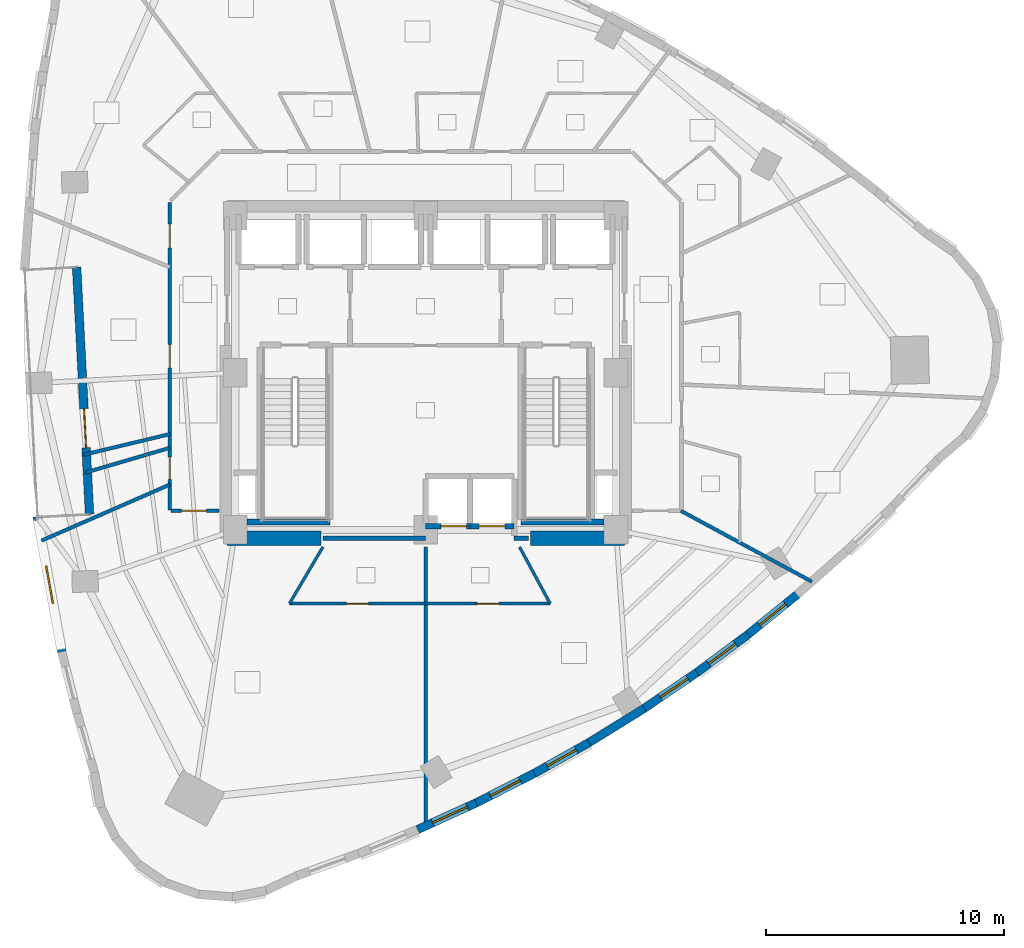
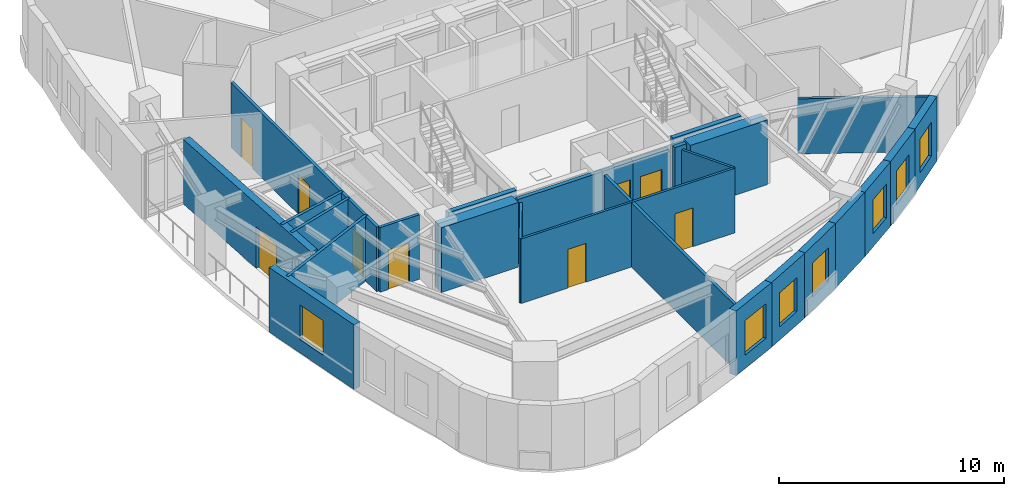
# One storey, part 5 of 12: 28 walls, 9 doors, 7 windows, 16 openings.
"""IFC4 building model written with IfcOpenShell, lengths in metres."""

from ifc_helpers import new_model, si_unit, direction, frame, frame_2d, origin, place, context, subcontext, project, spatial, rectangle, extrude, material, layer, layer_set, type_object, element, fill, save


model = new_model("IFC4")

# Units and contexts
model_context = context("Model", 3, precision=1e-05, world=origin(), true_north=direction((0.0, 1.0)))
body_context = subcontext(model_context, "Body", "Model", "MODEL_VIEW")
ifc_project = project(units=[si_unit("LENGTHUNIT", "METRE"), si_unit("AREAUNIT", "SQUARE_METRE"), si_unit("VOLUMEUNIT", "CUBIC_METRE"), si_unit("PLANEANGLEUNIT", "RADIAN"), si_unit("MASSUNIT", "GRAM", prefix="KILO")], contexts=[model_context])

# Site, building, storey
site_placement = place(None, origin())
site = spatial("IfcSite", under=ifc_project, at=site_placement, CompositionType="ELEMENT")
building_placement = place(site_placement, origin())
building = spatial("IfcBuilding", under=site, at=building_placement, Name="Ndelora Gate Hotel", CompositionType="ELEMENT")
storey_placement = place(building_placement, frame((0.0, 0.0, 138.5)))
storey = spatial("IfcBuildingStorey", under=building, at=storey_placement, Name="L34", CompositionType="ELEMENT", Elevation=138.5)

# Wall, opening, door
ifc_material_1 = material(Name="Clay Brick Masonry", Category="masonry")
ifc_layer_1 = layer(ifc_material_1, 0.360107421875)
ifc_layer_set_1 = layer_set([ifc_layer_1], Name="Clay Brick Masonry")
wall_type_1 = type_object("IfcWallType", Name="WL-BRICK-360", PredefinedType="SOLIDWALL", material=ifc_layer_set_1)
wall_1_placement = place(storey_placement, frame((-14.123779296875, -5.947265625, 0.0), z_axis=(0.0, 0.0, 1.0), x_axis=(-0.052325961458, 0.998630058509, 0.0)))
wall_1 = element("IfcWall", 1, at=wall_1_placement, inside=storey, type_object=wall_type_1, Name="L34 Sky-Garden Loggia Rear Brick Wall", PredefinedType="SOLIDWALL", context=body_context, shape_type="SweptSolid", body=[
    extrude(rectangle(XDim=10.39990234375, YDim=0.360107421875, at=frame_2d((5.199951171875, 0.0))), origin(), (0.0, 0.0, 1.0), 3.5),
])
opening_1_placement = place(wall_1_placement, frame((2.800048828125, 0.0, 0.0)))
opening_1 = element("IfcOpeningElement", 2, at=opening_1_placement, cuts=wall_1, Name="Opening TD1", PredefinedType="OPENING", context=body_context, shape_type="SweptSolid", body=[
    extrude(rectangle(XDim=1.64990234375, YDim=2.25, at=frame_2d((0.824951171875, 1.125))), frame((0.0, 0.18994140625, 0.0), z_axis=(0.0, -1.0, 0.0), x_axis=(1.0, 0.0, 0.0)), (0.0, 0.0, 1.0), 0.380126953125),
])
ifc_material_2 = material(Name="Architectural Bronze Glazed Door", Category="metal")
door_type_1 = type_object("IfcDoorType", Name="DR-TER-1650", OperationType="DOUBLE_DOOR_SINGLE_SWING", PredefinedType="DOOR", material=ifc_material_2)
door_1_placement = place(opening_1_placement, origin())
door_1 = element("IfcDoor", 3, at=door_1_placement, inside=storey, type_object=door_type_1, Name="L34 Sky-Garden Terrace Double Door TD1", OperationType="DOUBLE_DOOR_SINGLE_SWING", OverallHeight=2.25, OverallWidth=1.64990234375, PredefinedType="DOOR", context=body_context, shape_type="SweptSolid", body=[
    extrude(rectangle(XDim=1.64990234375, YDim=2.25, at=frame_2d((0.824951171875, 1.125))), frame((0.0, 0.02490234375, 0.0), z_axis=(0.0, -1.0, 0.0), x_axis=(1.0, 0.0, 0.0)), (0.0, 0.0, 1.0), 0.050048828125),
])
fill(opening_1, door_1)

# Wall, opening, window
wall_2_placement = place(storey_placement, frame((-15.283935546875, -11.77099609375, 0.0), z_axis=(0.0, 0.0, 1.0), x_axis=(-0.178697394158, 0.983904081362, 0.0)))
wall_2 = element("IfcWall", 4, at=wall_2_placement, inside=storey, type_object=wall_type_1, Name="L34 Tower Brick Pier-and-Spandrel Wall TWR-16", PredefinedType="SOLIDWALL", context=body_context, shape_type="SweptSolid", body=[
    extrude(rectangle(XDim=5.826904296875, YDim=0.360107421875, at=frame_2d((2.91357421875, 0.0))), origin(), (0.0, 0.0, 1.0), 3.5),
])
opening_2_placement = place(wall_2_placement, frame((2.11328125, 0.0, 0.719970703125)))
opening_2 = element("IfcOpeningElement", 5, at=opening_2_placement, cuts=wall_2, Name="Opening W01", PredefinedType="OPENING", context=body_context, shape_type="SweptSolid", body=[
    extrude(rectangle(XDim=1.60009765625, YDim=1.8798828125, at=frame_2d((0.800048828125, 0.93994140625))), frame((0.0, 0.18994140625, 0.0), z_axis=(0.0, -1.0, 0.0), x_axis=(1.0, 0.0, 0.0)), (0.0, 0.0, 1.0), 0.380126953125),
])
ifc_material_3 = material(Name="Insulated Low-E Double Glazing in Bronze Aluminium Frame", Category="aluminium")
window_type_1 = type_object("IfcWindowType", Name="WN-DEEP-1600", PartitioningType="SINGLE_PANEL", PredefinedType="WINDOW", material=ifc_material_3)
window_1_placement = place(opening_2_placement, origin())
window_1 = element("IfcWindow", 6, at=window_1_placement, inside=storey, type_object=window_type_1, Name="L34 Deep-Set Brick-Pier Window W01", OverallHeight=1.8798828125, OverallWidth=1.60009765625, PartitioningType="SINGLE_PANEL", PredefinedType="WINDOW", context=body_context, shape_type="SweptSolid", body=[
    extrude(rectangle(XDim=1.60009765625, YDim=1.8798828125, at=frame_2d((0.800048828125, 0.93994140625))), frame((0.0, 0.030029296875, 0.0), z_axis=(0.0, -1.0, 0.0), x_axis=(1.0, 0.0, 0.0)), (0.0, 0.0, 1.0), 0.06005859375),
])
fill(opening_2, window_1)

wall_3_placement = place(storey_placement, frame((2.169677734375, -18.052001953125, 0.0), z_axis=(0.0, 0.0, 1.0), x_axis=(-0.909692365211, -0.415282796028, 0.0)))
wall_3 = element("IfcWall", 7, at=wall_3_placement, inside=storey, type_object=wall_type_1, Name="L34 Tower Brick Pier-and-Spandrel Wall TWR-29", PredefinedType="SOLIDWALL", context=body_context, shape_type="SweptSolid", body=[
    extrude(rectangle(XDim=2.75830078125, YDim=0.360107421875, at=frame_2d((1.379150390625, 0.0))), origin(), (0.0, 0.0, 1.0), 3.5),
])
opening_3_placement = place(wall_3_placement, frame((0.4599609375, 0.0, 0.719970703125)))
opening_3 = element("IfcOpeningElement", 8, at=opening_3_placement, cuts=wall_3, Name="Opening W03", PredefinedType="OPENING", context=body_context, shape_type="SweptSolid", body=[
    extrude(rectangle(XDim=1.60009765625, YDim=1.8798828125, at=frame_2d((0.800048828125, 0.93994140625))), frame((0.0, 0.18994140625, 0.0), z_axis=(0.0, -1.0, 0.0), x_axis=(1.0, 0.0, 0.0)), (0.0, 0.0, 1.0), 0.380126953125),
])
window_type_2 = type_object("IfcWindowType", Name="WN-CORN-2100", PartitioningType="SINGLE_PANEL", PredefinedType="WINDOW", material=ifc_material_3)
window_2_placement = place(opening_3_placement, origin())
window_2 = element("IfcWindow", 9, at=window_2_placement, inside=storey, type_object=window_type_2, Name="L34 Deep-Set Brick-Pier Window W03", OverallHeight=1.8798828125, OverallWidth=1.60009765625, PartitioningType="SINGLE_PANEL", PredefinedType="WINDOW", context=body_context, shape_type="SweptSolid", body=[
    extrude(rectangle(XDim=1.60009765625, YDim=1.8798828125, at=frame_2d((0.800048828125, 0.93994140625))), frame((0.0, 0.030029296875, 0.0), z_axis=(0.0, -1.0, 0.0), x_axis=(1.0, 0.0, 0.0)), (0.0, 0.0, 1.0), 0.06005859375),
])
fill(opening_3, window_2)

wall_4_placement = place(storey_placement, frame((4.571044921875, -16.830810546875, 0.0), z_axis=(0.0, 0.0, 1.0), x_axis=(-0.891561759687, -0.452899137406, 0.0)))
wall_4 = element("IfcWall", 10, at=wall_4_placement, inside=storey, type_object=wall_type_1, Name="L34 Tower Brick Pier-and-Spandrel Wall TWR-30", PredefinedType="SOLIDWALL", context=body_context, shape_type="SweptSolid", body=[
    extrude(rectangle(XDim=2.743896484375, YDim=0.360107421875, at=frame_2d((1.3720703125, 0.0))), origin(), (0.0, 0.0, 1.0), 3.5),
])
opening_4_placement = place(wall_4_placement, frame((0.672119140625, 0.0, 0.719970703125)))
opening_4 = element("IfcOpeningElement", 11, at=opening_4_placement, cuts=wall_4, Name="Opening W02", PredefinedType="OPENING", context=body_context, shape_type="SweptSolid", body=[
    extrude(rectangle(XDim=1.39990234375, YDim=1.840087890625, at=frame_2d((0.699951171875, 0.919921875))), frame((0.0, 0.18994140625, 0.0), z_axis=(0.0, -1.0, 0.0), x_axis=(1.0, 0.0, 0.0)), (0.0, 0.0, 1.0), 0.380126953125),
])
window_type_3 = type_object("IfcWindowType", Name="WN-DEEP-1400", PartitioningType="SINGLE_PANEL", PredefinedType="WINDOW", material=ifc_material_3)
window_3_placement = place(opening_4_placement, origin())
window_3 = element("IfcWindow", 12, at=window_3_placement, inside=storey, type_object=window_type_3, Name="L34 Deep-Set Brick-Pier Window W02", OverallHeight=1.840087890625, OverallWidth=1.39990234375, PartitioningType="SINGLE_PANEL", PredefinedType="WINDOW", context=body_context, shape_type="SweptSolid", body=[
    extrude(rectangle(XDim=1.39990234375, YDim=1.840087890625, at=frame_2d((0.699951171875, 0.919921875))), frame((0.0, 0.030029296875, 0.0), z_axis=(0.0, -1.0, 0.0), x_axis=(1.0, 0.0, 0.0)), (0.0, 0.0, 1.0), 0.06005859375),
])
fill(opening_4, window_3)

wall_5_placement = place(storey_placement, frame((6.910400390625, -15.513916015625, 0.0), z_axis=(0.0, 0.0, 1.0), x_axis=(-0.871580305906, -0.490252761702, 0.0)))
wall_5 = element("IfcWall", 13, at=wall_5_placement, inside=storey, type_object=wall_type_1, Name="L34 Tower Brick Pier-and-Spandrel Wall TWR-31", PredefinedType="SOLIDWALL", context=body_context, shape_type="SweptSolid", body=[
    extrude(rectangle(XDim=2.734375, YDim=0.360107421875, at=frame_2d((1.3671875, 0.0))), origin(), (0.0, 0.0, 1.0), 3.5),
])
opening_5_placement = place(wall_5_placement, frame((0.667236328125, 0.0, 0.719970703125)))
opening_5 = element("IfcOpeningElement", 14, at=opening_5_placement, cuts=wall_5, Name="Opening W02", PredefinedType="OPENING", context=body_context, shape_type="SweptSolid", body=[
    extrude(rectangle(XDim=1.39990234375, YDim=1.840087890625, at=frame_2d((0.699951171875, 0.919921875))), frame((0.0, 0.18994140625, 0.0), z_axis=(0.0, -1.0, 0.0), x_axis=(1.0, 0.0, 0.0)), (0.0, 0.0, 1.0), 0.380126953125),
])
window_4_placement = place(opening_5_placement, origin())
window_4 = element("IfcWindow", 15, at=window_4_placement, inside=storey, type_object=window_type_3, Name="L34 Deep-Set Brick-Pier Window W02", OverallHeight=1.840087890625, OverallWidth=1.39990234375, PartitioningType="SINGLE_PANEL", PredefinedType="WINDOW", context=body_context, shape_type="SweptSolid", body=[
    extrude(rectangle(XDim=1.39990234375, YDim=1.840087890625, at=frame_2d((0.699951171875, 0.919921875))), frame((0.0, 0.030029296875, 0.0), z_axis=(0.0, -1.0, 0.0), x_axis=(1.0, 0.0, 0.0)), (0.0, 0.0, 1.0), 0.06005859375),
])
fill(opening_5, window_4)

# Wall
wall_6_placement = place(storey_placement, frame((9.187744140625, -14.101806640625, 0.0), z_axis=(0.0, 0.0, 1.0), x_axis=(-0.850066866235, -0.526674779091, 0.0)))
element("IfcWall", 16, at=wall_6_placement, inside=storey, type_object=wall_type_1, Name="L34 Tower Brick Pier-and-Spandrel Wall TWR-32", PredefinedType="SOLIDWALL", context=body_context, shape_type="SweptSolid", body=[
    extrude(rectangle(XDim=2.729736328125, YDim=0.360107421875, at=frame_2d((1.36474609375, 0.0))), origin(), (0.0, 0.0, 1.0), 3.5),
])

# Wall, opening, window
wall_7_placement = place(storey_placement, frame((11.40283203125, -12.593994140625, 0.0), z_axis=(0.0, 0.0, 1.0), x_axis=(-0.826868273885, -0.562395641557, 0.0)))
wall_7 = element("IfcWall", 17, at=wall_7_placement, inside=storey, type_object=wall_type_1, Name="L34 Tower Brick Pier-and-Spandrel Wall TWR-33", PredefinedType="SOLIDWALL", context=body_context, shape_type="SweptSolid", body=[
    extrude(rectangle(XDim=2.729736328125, YDim=0.360107421875, at=frame_2d((1.36474609375, 0.0))), origin(), (0.0, 0.0, 1.0), 3.5),
])
opening_6_placement = place(wall_7_placement, frame((0.4599609375, 0.0, 0.719970703125)))
opening_6 = element("IfcOpeningElement", 18, at=opening_6_placement, cuts=wall_7, Name="Opening W02", PredefinedType="OPENING", context=body_context, shape_type="SweptSolid", body=[
    extrude(rectangle(XDim=1.39990234375, YDim=1.840087890625, at=frame_2d((0.699951171875, 0.919921875))), frame((0.0, 0.18994140625, 0.0), z_axis=(0.0, -1.0, 0.0), x_axis=(1.0, 0.0, 0.0)), (0.0, 0.0, 1.0), 0.380126953125),
])
window_5_placement = place(opening_6_placement, origin())
window_5 = element("IfcWindow", 19, at=window_5_placement, inside=storey, type_object=window_type_3, Name="L34 Deep-Set Brick-Pier Window W02", OverallHeight=1.840087890625, OverallWidth=1.39990234375, PartitioningType="SINGLE_PANEL", PredefinedType="WINDOW", context=body_context, shape_type="SweptSolid", body=[
    extrude(rectangle(XDim=1.39990234375, YDim=1.840087890625, at=frame_2d((0.699951171875, 0.919921875))), frame((0.0, 0.030029296875, 0.0), z_axis=(0.0, -1.0, 0.0), x_axis=(1.0, 0.0, 0.0)), (0.0, 0.0, 1.0), 0.06005859375),
])
fill(opening_6, window_5)

wall_8_placement = place(storey_placement, frame((13.555908203125, -10.990966796875, 0.0), z_axis=(0.0, 0.0, 1.0), x_axis=(-0.802329676415, -0.596881135859, 0.0)))
wall_8 = element("IfcWall", 20, at=wall_8_placement, inside=storey, type_object=wall_type_1, Name="L34 Tower Brick Pier-and-Spandrel Wall TWR-34", PredefinedType="SOLIDWALL", context=body_context, shape_type="SweptSolid", body=[
    extrude(rectangle(XDim=2.734375, YDim=0.360107421875, at=frame_2d((1.3671875, 0.0))), origin(), (0.0, 0.0, 1.0), 3.5),
])
opening_7_placement = place(wall_8_placement, frame((0.667236328125, 0.0, 0.719970703125)))
opening_7 = element("IfcOpeningElement", 21, at=opening_7_placement, cuts=wall_8, Name="Opening W02", PredefinedType="OPENING", context=body_context, shape_type="SweptSolid", body=[
    extrude(rectangle(XDim=1.39990234375, YDim=1.840087890625, at=frame_2d((0.699951171875, 0.919921875))), frame((0.0, 0.18994140625, 0.0), z_axis=(0.0, -1.0, 0.0), x_axis=(1.0, 0.0, 0.0)), (0.0, 0.0, 1.0), 0.380126953125),
])
window_6_placement = place(opening_7_placement, origin())
window_6 = element("IfcWindow", 22, at=window_6_placement, inside=storey, type_object=window_type_3, Name="L34 Deep-Set Brick-Pier Window W02", OverallHeight=1.840087890625, OverallWidth=1.39990234375, PartitioningType="SINGLE_PANEL", PredefinedType="WINDOW", context=body_context, shape_type="SweptSolid", body=[
    extrude(rectangle(XDim=1.39990234375, YDim=1.840087890625, at=frame_2d((0.699951171875, 0.919921875))), frame((0.0, 0.030029296875, 0.0), z_axis=(0.0, -1.0, 0.0), x_axis=(1.0, 0.0, 0.0)), (0.0, 0.0, 1.0), 0.06005859375),
])
fill(opening_7, window_6)

wall_9_placement = place(storey_placement, frame((15.64697265625, -9.292236328125, 0.0), z_axis=(0.0, 0.0, 1.0), x_axis=(-0.776448630517, -0.630180548866, 0.0)))
wall_9 = element("IfcWall", 23, at=wall_9_placement, inside=storey, type_object=wall_type_1, Name="L34 Tower Brick Pier-and-Spandrel Wall TWR-35", PredefinedType="SOLIDWALL", context=body_context, shape_type="SweptSolid", body=[
    extrude(rectangle(XDim=2.744140625, YDim=0.360107421875, at=frame_2d((1.3720703125, 0.0))), origin(), (0.0, 0.0, 1.0), 3.5),
])
opening_8_placement = place(wall_9_placement, frame((0.672119140625, 0.0, 0.719970703125)))
opening_8 = element("IfcOpeningElement", 24, at=opening_8_placement, cuts=wall_9, Name="Opening W02", PredefinedType="OPENING", context=body_context, shape_type="SweptSolid", body=[
    extrude(rectangle(XDim=1.39990234375, YDim=1.840087890625, at=frame_2d((0.699951171875, 0.919921875))), frame((0.0, 0.18994140625, 0.0), z_axis=(0.0, -1.0, 0.0), x_axis=(1.0, 0.0, 0.0)), (0.0, 0.0, 1.0), 0.380126953125),
])
window_7_placement = place(opening_8_placement, origin())
window_7 = element("IfcWindow", 25, at=window_7_placement, inside=storey, type_object=window_type_3, Name="L34 Deep-Set Brick-Pier Window W02", OverallHeight=1.840087890625, OverallWidth=1.39990234375, PartitioningType="SINGLE_PANEL", PredefinedType="WINDOW", context=body_context, shape_type="SweptSolid", body=[
    extrude(rectangle(XDim=1.39990234375, YDim=1.840087890625, at=frame_2d((0.699951171875, 0.919921875))), frame((0.0, 0.030029296875, 0.0), z_axis=(0.0, -1.0, 0.0), x_axis=(1.0, 0.0, 0.0)), (0.0, 0.0, 1.0), 0.06005859375),
])
fill(opening_8, window_7)

# Walls
ifc_material_4 = material(Name="Concrete C60/75", Category="concrete")
ifc_layer_2 = layer(ifc_material_4, 0.60009765625)
ifc_layer_set_2 = layer_set([ifc_layer_2], Name="Concrete C60/75")
wall_type_2 = type_object("IfcWallType", Name="WL-CORE-600", PredefinedType="SHEAR", material=ifc_layer_set_2)
for number, where, z_axis, x_axis, name in (
    (26, (-8.35009765625, -6.949951171875, 0.0), (0.0, 0.0, 1.0), (1.0, 0.0, 0.0), "L34 Core Shear Wall S-W"),
    (27, (4.39990234375, -6.949951171875, 0.0), (0.0, 0.0, 1.0), (1.0, 0.0, 0.0), "L34 Core Shear Wall S-E"),
):
    element("IfcWall", number, at=place(storey_placement, frame(where, z_axis=z_axis, x_axis=x_axis)), inside=storey, type_object=wall_type_2, Name=name, PredefinedType="SHEAR", context=body_context, shape_type="SweptSolid", body=[
        extrude(rectangle(XDim=3.9501953125, YDim=0.60009765625, at=frame_2d((1.97509765625, 0.0))), origin(), (0.0, 0.0, 1.0), 3.5),
    ])
ifc_material_5 = material(Name="Concrete C40/50", Category="concrete")
ifc_layer_3 = layer(ifc_material_5, 0.199951171875)
ifc_layer_set_3 = layer_set([ifc_layer_3], Name="Concrete C40/50")
wall_type_3 = type_object("IfcWallType", Name="WL-FIRE-200", PredefinedType="PARTITIONING", material=ifc_layer_set_3)
wall_10_placement = place(storey_placement, frame((-4.320068359375, -6.949951171875, 0.0), z_axis=(0.0, 0.0, 1.0), x_axis=(1.0, 0.0, 0.0)))
element("IfcWall", 28, at=wall_10_placement, inside=storey, type_object=wall_type_3, Name="L34 Interior Wall IW-2", PredefinedType="PARTITIONING", context=body_context, shape_type="SweptSolid", body=[
    extrude(rectangle(XDim=4.320068359375, YDim=0.199951171875, at=frame_2d((2.16015625, 0.0))), origin(), (0.0, 0.0, 1.0), 3.5),
])
wall_11_placement = place(storey_placement, frame((3.719970703125, -6.949951171875, 0.0), z_axis=(0.0, 0.0, 1.0), x_axis=(1.0, 0.0, 0.0)))
element("IfcWall", 29, at=wall_11_placement, inside=storey, type_object=wall_type_3, Name="L34 Interior Wall IW-2", PredefinedType="PARTITIONING", context=body_context, shape_type="SweptSolid", body=[
    extrude(rectangle(XDim=0.60009765625, YDim=0.199951171875, at=frame_2d((0.300048828125, 0.0))), origin(), (0.0, 0.0, 1.0), 3.5),
])

# Wall, opening, door
ifc_material_6 = material(Name="Fire-Rated Gypsum Stud Partition", Category="gypsum")
ifc_layer_4 = layer(ifc_material_6, 0.14990234375)
ifc_layer_set_4 = layer_set([ifc_layer_4], Name="Fire-Rated Gypsum Stud Partition")
wall_type_4 = type_object("IfcWallType", Name="WL-PART-150", PredefinedType="PARTITIONING", material=ifc_layer_set_4)
wall_12_placement = place(storey_placement, frame((-8.68994140625, -5.800048828125, 0.0), z_axis=(0.0, 0.0, 1.0), x_axis=(-1.0, 0.0, 0.0)))
wall_12 = element("IfcWall", 30, at=wall_12_placement, inside=storey, type_object=wall_type_4, Name="L34 Interior Wall IW-5", PredefinedType="PARTITIONING", context=body_context, shape_type="SweptSolid", body=[
    extrude(rectangle(XDim=2.02001953125, YDim=0.14990234375, at=frame_2d((1.010009765625, 0.0))), origin(), (0.0, 0.0, 1.0), 3.5),
])
opening_9_placement = place(wall_12_placement, frame((0.52001953125, 0.0, 0.0)))
opening_9 = element("IfcOpeningElement", 31, at=opening_9_placement, cuts=wall_12, Name="Opening D07", PredefinedType="OPENING", context=body_context, shape_type="SweptSolid", body=[
    extrude(rectangle(XDim=1.06005859375, YDim=2.14990234375, at=frame_2d((0.530029296875, 1.074951171875))), frame((0.0, 0.0849609375, 0.0), z_axis=(0.0, -1.0, 0.0), x_axis=(1.0, 0.0, 0.0)), (0.0, 0.0, 1.0), 0.169921875),
])
ifc_material_7 = material(Name="Diplomatic Suite Acoustic Entrance Door", Category="wood")
door_type_2 = type_object("IfcDoorType", Name="DR-SUITE-1060", OperationType="SINGLE_SWING_LEFT", PredefinedType="DOOR", material=ifc_material_7)
door_2_placement = place(opening_9_placement, origin())
door_2 = element("IfcDoor", 32, at=door_2_placement, inside=storey, type_object=door_type_2, Name="L34 Club Twin Corner Suite 3701 Entrance Door", OperationType="SINGLE_SWING_RIGHT", OverallHeight=2.14990234375, OverallWidth=1.06005859375, PredefinedType="DOOR", context=body_context, shape_type="SweptSolid", body=[
    extrude(rectangle(XDim=1.06005859375, YDim=2.14990234375, at=frame_2d((0.530029296875, 1.074951171875))), frame((0.0, 0.02490234375, 0.0), z_axis=(0.0, -1.0, 0.0), x_axis=(1.0, 0.0, 0.0)), (0.0, 0.0, 1.0), 0.050048828125),
])
fill(opening_9, door_2)

# Wall, openings, doors
wall_13_placement = place(storey_placement, frame((-10.75, -5.760009765625, 0.0), z_axis=(0.0, 0.0, 1.0), x_axis=(0.0, 1.0, 0.0)))
wall_13 = element("IfcWall", 33, at=wall_13_placement, inside=storey, type_object=wall_type_4, Name="L34 Interior Wall IW-5", PredefinedType="PARTITIONING", context=body_context, shape_type="SweptSolid", body=[
    extrude(rectangle(XDim=12.919921875, YDim=0.14990234375, at=frame_2d((6.4599609375, 0.0))), origin(), (0.0, 0.0, 1.0), 3.5),
])
opening_10_placement = place(wall_13_placement, frame((1.280029296875, 0.0, 0.0)))
opening_10 = element("IfcOpeningElement", 34, at=opening_10_placement, cuts=wall_13, Name="Opening D05", PredefinedType="OPENING", context=body_context, shape_type="SweptSolid", body=[
    extrude(rectangle(XDim=0.949951171875, YDim=2.10009765625, at=frame_2d((0.47509765625, 1.050048828125))), frame((0.0, 0.0849609375, 0.0), z_axis=(0.0, -1.0, 0.0), x_axis=(1.0, 0.0, 0.0)), (0.0, 0.0, 1.0), 0.169921875),
])
opening_11_placement = place(wall_13_placement, frame((5.95556640625, 0.0, 0.0)))
opening_11 = element("IfcOpeningElement", 35, at=opening_11_placement, cuts=wall_13, Name="Opening D01", PredefinedType="OPENING", context=body_context, shape_type="SweptSolid", body=[
    extrude(rectangle(XDim=1.0, YDim=2.14990234375, at=frame_2d((0.5, 1.074951171875))), frame((0.0, 0.0849609375, 0.0), z_axis=(0.0, -1.0, 0.0), x_axis=(1.0, 0.0, 0.0)), (0.0, 0.0, 1.0), 0.169921875),
])
opening_12_placement = place(wall_13_placement, frame((11.0087890625, 0.0, 0.0)))
opening_12 = element("IfcOpeningElement", 36, at=opening_12_placement, cuts=wall_13, Name="Opening D01", PredefinedType="OPENING", context=body_context, shape_type="SweptSolid", body=[
    extrude(rectangle(XDim=1.0, YDim=2.14990234375, at=frame_2d((0.5, 1.074951171875))), frame((0.0, 0.0849609375, 0.0), z_axis=(0.0, -1.0, 0.0), x_axis=(1.0, 0.0, 0.0)), (0.0, 0.0, 1.0), 0.169921875),
])
ifc_material_8 = material(Name="Accessible Restroom Wide-Clearance Door", Category="wood")
door_type_3 = type_object("IfcDoorType", Name="DR-ACC-950", OperationType="SINGLE_SWING_LEFT", PredefinedType="DOOR", material=ifc_material_8)
door_3_placement = place(opening_10_placement, origin())
door_3 = element("IfcDoor", 37, at=door_3_placement, inside=storey, type_object=door_type_3, Name="L34 Accessible WC Entrance Door", OperationType="SINGLE_SWING_RIGHT", OverallHeight=2.10009765625, OverallWidth=0.949951171875, PredefinedType="DOOR", context=body_context, shape_type="SweptSolid", body=[
    extrude(rectangle(XDim=0.949951171875, YDim=2.10009765625, at=frame_2d((0.47509765625, 1.050048828125))), frame((0.0, 0.02490234375, 0.0), z_axis=(0.0, -1.0, 0.0), x_axis=(1.0, 0.0, 0.0)), (0.0, 0.0, 1.0), 0.050048828125),
])
fill(opening_10, door_3)
ifc_material_9 = material(Name="Acoustic Hardwood Guest Entrance Door", Category="wood")
door_type_4 = type_object("IfcDoorType", Name="DR-COR-1000", OperationType="SINGLE_SWING_LEFT", PredefinedType="DOOR", material=ifc_material_9)
door_4_placement = place(opening_11_placement, origin())
door_4 = element("IfcDoor", 38, at=door_4_placement, inside=storey, type_object=door_type_4, Name="L34 Sky Garden Tea Dining Room Entrance Door", OperationType="SINGLE_SWING_LEFT", OverallHeight=2.14990234375, OverallWidth=1.0, PredefinedType="DOOR", context=body_context, shape_type="SweptSolid", body=[
    extrude(rectangle(XDim=1.0, YDim=2.14990234375, at=frame_2d((0.5, 1.074951171875))), frame((0.0, 0.02490234375, 0.0), z_axis=(0.0, -1.0, 0.0), x_axis=(1.0, 0.0, 0.0)), (0.0, 0.0, 1.0), 0.050048828125),
])
fill(opening_11, door_4)
door_5_placement = place(opening_12_placement, origin())
door_5 = element("IfcDoor", 39, at=door_5_placement, inside=storey, type_object=door_type_4, Name="L34 Club Deluxe Guest Room 3709 Entrance Door", OperationType="SINGLE_SWING_RIGHT", OverallHeight=2.14990234375, OverallWidth=1.0, PredefinedType="DOOR", context=body_context, shape_type="SweptSolid", body=[
    extrude(rectangle(XDim=1.0, YDim=2.14990234375, at=frame_2d((0.5, 1.074951171875))), frame((0.0, 0.02490234375, 0.0), z_axis=(0.0, -1.0, 0.0), x_axis=(1.0, 0.0, 0.0)), (0.0, 0.0, 1.0), 0.050048828125),
])
fill(opening_12, door_5)

# Walls
wall_14_placement = place(storey_placement, frame((-10.75, -4.696533203125, 0.0), z_axis=(0.0, 0.0, 1.0), x_axis=(-0.916368645406, -0.400335491452, 0.0)))
element("IfcWall", 40, at=wall_14_placement, inside=storey, type_object=wall_type_4, Name="L34 Interior Wall IW-5", PredefinedType="PARTITIONING", context=body_context, shape_type="SweptSolid", body=[
    extrude(rectangle(XDim=5.883056640625, YDim=0.14990234375, at=frame_2d((2.94140625, 0.0))), origin(), (0.0, 0.0, 1.0), 3.5),
])
wall_15_placement = place(storey_placement, frame((0.0, -7.320068359375, 0.0), z_axis=(0.0, 0.0, 1.0), x_axis=(0.0, -1.0, 0.0)))
element("IfcWall", 41, at=wall_15_placement, inside=storey, type_object=wall_type_4, Name="L34 Interior Wall IW-5", PredefinedType="PARTITIONING", context=body_context, shape_type="SweptSolid", body=[
    extrude(rectangle(XDim=11.722412109375, YDim=0.14990234375, at=frame_2d((5.861328125, 0.0))), origin(), (0.0, 0.0, 1.0), 3.5),
])
wall_16_placement = place(storey_placement, frame((10.726806640625, -5.800048828125, 0.0), z_axis=(0.0, 0.0, 1.0), x_axis=(0.879646503143, -0.475628036924, 0.0)))
element("IfcWall", 42, at=wall_16_placement, inside=storey, type_object=wall_type_4, Name="L34 Interior Wall IW-5", PredefinedType="PARTITIONING", context=body_context, shape_type="SweptSolid", body=[
    extrude(rectangle(XDim=6.256103515625, YDim=0.14990234375, at=frame_2d((3.1279296875, 0.0))), origin(), (0.0, 0.0, 1.0), 2.97998046875),
])
wall_17_placement = place(storey_placement, frame((-10.75, -3.15283203125, 0.0), z_axis=(0.0, 0.0, 1.0), x_axis=(-0.959579233132, -0.281438617362, 0.0)))
element("IfcWall", 43, at=wall_17_placement, inside=storey, type_object=wall_type_4, Name="L34 Interior Wall IW-5", PredefinedType="PARTITIONING", context=body_context, shape_type="SweptSolid", body=[
    extrude(rectangle(XDim=3.687744140625, YDim=0.14990234375, at=frame_2d((1.84375, 0.0))), origin(), (0.0, 0.0, 1.0), 3.5),
])
wall_18_placement = place(storey_placement, frame((-10.75, -2.575439453125, 0.0), z_axis=(0.0, 0.0, 1.0), x_axis=(-0.972472035097, -0.233019614958, 0.0)))
element("IfcWall", 44, at=wall_18_placement, inside=storey, type_object=wall_type_4, Name="L34 Interior Wall IW-5", PredefinedType="PARTITIONING", context=body_context, shape_type="SweptSolid", body=[
    extrude(rectangle(XDim=3.7109375, YDim=0.14990234375, at=frame_2d((1.85546875, 0.0))), origin(), (0.0, 0.0, 1.0), 3.5),
])

# Wall, opening, door
ifc_layer_5 = layer(ifc_material_5, 0.219970703125)
ifc_layer_set_5 = layer_set([ifc_layer_5], Name="Concrete C40/50")
wall_type_5 = type_object("IfcWallType", Name="WL-SHAFT-220", PredefinedType="PARTITIONING", material=ifc_layer_set_5)
wall_19_placement = place(storey_placement, frame((0.0, -6.449951171875, 0.0), z_axis=(0.0, 0.0, 1.0), x_axis=(1.0, 0.0, 0.0)))
wall_19 = element("IfcWall", 45, at=wall_19_placement, inside=storey, type_object=wall_type_5, Name="L34 Interior Wall IW-1", PredefinedType="PARTITIONING", context=body_context, shape_type="SweptSolid", body=[
    extrude(rectangle(XDim=1.860107421875, YDim=0.219970703125, at=frame_2d((0.93017578125, 0.0))), origin(), (0.0, 0.0, 1.0), 3.1201171875),
])
opening_13_placement = place(wall_19_placement, frame((0.639892578125, 0.0, 0.0)))
opening_13 = element("IfcOpeningElement", 46, at=opening_13_placement, cuts=wall_19, Name="Opening LD2", PredefinedType="OPENING", context=body_context, shape_type="SweptSolid", body=[
    extrude(rectangle(XDim=1.080078125, YDim=2.14990234375, at=frame_2d((0.5400390625, 1.074951171875))), frame((0.0, 0.1201171875, 0.0), z_axis=(0.0, -1.0, 0.0), x_axis=(1.0, 0.0, 0.0)), (0.0, 0.0, 1.0), 0.239990234375),
])
ifc_material_10 = material(Name="Brushed Bronze Stainless Lift Landing Door", Category="metal")
door_type_5 = type_object("IfcDoorType", Name="DR-LD2", OperationType="DOUBLE_DOOR_SLIDING", PredefinedType="DOOR", material=ifc_material_10)
door_6_placement = place(opening_13_placement, origin())
door_6 = element("IfcDoor", 47, at=door_6_placement, inside=storey, type_object=door_type_5, Name="L34 Lift Landing Sliding Door P2A", OperationType="DOUBLE_DOOR_SLIDING", OverallHeight=2.14990234375, OverallWidth=1.080078125, PredefinedType="DOOR", context=body_context, shape_type="SweptSolid", body=[
    extrude(rectangle(XDim=1.080078125, YDim=2.14990234375, at=frame_2d((0.5400390625, 1.074951171875))), frame((0.0, 0.02490234375, 0.0), z_axis=(0.0, -1.0, 0.0), x_axis=(1.0, 0.0, 0.0)), (0.0, 0.0, 1.0), 0.050048828125),
])
fill(opening_13, door_6)

wall_20_placement = place(storey_placement, frame((1.860107421875, -6.449951171875, 0.0), z_axis=(0.0, 0.0, 1.0), x_axis=(1.0, 0.0, 0.0)))
wall_20 = element("IfcWall", 48, at=wall_20_placement, inside=storey, type_object=wall_type_5, Name="L34 Interior Wall IW-1", PredefinedType="PARTITIONING", context=body_context, shape_type="SweptSolid", body=[
    extrude(rectangle(XDim=1.85986328125, YDim=0.219970703125, at=frame_2d((0.929931640625, 0.0))), origin(), (0.0, 0.0, 1.0), 3.1201171875),
])
opening_14_placement = place(wall_20_placement, frame((0.389892578125, 0.0, 0.0)))
opening_14 = element("IfcOpeningElement", 49, at=opening_14_placement, cuts=wall_20, Name="Opening LD2", PredefinedType="OPENING", context=body_context, shape_type="SweptSolid", body=[
    extrude(rectangle(XDim=1.080078125, YDim=2.14990234375, at=frame_2d((0.5400390625, 1.074951171875))), frame((0.0, 0.1201171875, 0.0), z_axis=(0.0, -1.0, 0.0), x_axis=(1.0, 0.0, 0.0)), (0.0, 0.0, 1.0), 0.239990234375),
])
door_7_placement = place(opening_14_placement, origin())
door_7 = element("IfcDoor", 50, at=door_7_placement, inside=storey, type_object=door_type_5, Name="L34 Lift Landing Sliding Door P2B", OperationType="DOUBLE_DOOR_SLIDING", OverallHeight=2.14990234375, OverallWidth=1.080078125, PredefinedType="DOOR", context=body_context, shape_type="SweptSolid", body=[
    extrude(rectangle(XDim=1.080078125, YDim=2.14990234375, at=frame_2d((0.5400390625, 1.074951171875))), frame((0.0, 0.02490234375, 0.0), z_axis=(0.0, -1.0, 0.0), x_axis=(1.0, 0.0, 0.0)), (0.0, 0.0, 1.0), 0.050048828125),
])
fill(opening_14, door_7)

# Walls
ifc_material_11 = material(Name="Concrete C50/60", Category="concrete")
ifc_layer_6 = layer(ifc_material_11, 0.239990234375)
ifc_layer_set_6 = layer_set([ifc_layer_6], Name="Concrete C50/60")
wall_type_6 = type_object("IfcWallType", Name="WL-STAIR-240", PredefinedType="SHEAR", material=ifc_layer_set_6)
for number, where, z_axis, x_axis, name in (
    (51, (-7.5, -6.27001953125, 0.0), (0.0, 0.0, 1.0), (1.0, 0.0, 0.0), "L34 Stair Core Shear Wall SW-ST"),
    (52, (4.010009765625, -6.27001953125, 0.0), (0.0, 0.0, 1.0), (1.0, 0.0, 0.0), "L34 Stair Core Shear Wall SW-ST"),
):
    element("IfcWall", number, at=place(storey_placement, frame(where, z_axis=z_axis, x_axis=x_axis)), inside=storey, type_object=wall_type_6, Name=name, PredefinedType="SHEAR", context=body_context, shape_type="SweptSolid", body=[
        extrude(rectangle(XDim=3.489990234375, YDim=0.239990234375, at=frame_2d((1.7451171875, 0.0))), origin(), (0.0, 0.0, 1.0), 3.5),
    ])

# Wall, opening, door
ifc_material_12 = material(Name="Moisture-Resistant Bathroom Tile Partition", Category="gypsum")
ifc_layer_7 = layer(ifc_material_12, 0.1201171875)
ifc_layer_set_7 = layer_set([ifc_layer_7], Name="Moisture-Resistant Bathroom Tile Partition")
wall_type_7 = type_object("IfcWallType", Name="WL-WET-120", PredefinedType="PARTITIONING", material=ifc_layer_set_7)
wall_21_placement = place(storey_placement, frame((0.0, -9.699951171875, 0.0), z_axis=(0.0, 0.0, 1.0), x_axis=(-1.0, 0.0, 0.0)))
wall_21 = element("IfcWall", 53, at=wall_21_placement, inside=storey, type_object=wall_type_7, Name="L34 Interior Wall IW-7", PredefinedType="PARTITIONING", context=body_context, shape_type="SweptSolid", body=[
    extrude(rectangle(XDim=5.723876953125, YDim=0.1201171875, at=frame_2d((2.86181640625, 0.0))), origin(), (0.0, 0.0, 1.0), 3.5),
])
opening_15_placement = place(wall_21_placement, frame((2.40185546875, 0.0, 0.0)))
opening_15 = element("IfcOpeningElement", 54, at=opening_15_placement, cuts=wall_21, Name="Opening D03", PredefinedType="OPENING", context=body_context, shape_type="SweptSolid", body=[
    extrude(rectangle(XDim=0.919921875, YDim=2.10009765625, at=frame_2d((0.4599609375, 1.050048828125))), frame((0.0, 0.070068359375, 0.0), z_axis=(0.0, -1.0, 0.0), x_axis=(1.0, 0.0, 0.0)), (0.0, 0.0, 1.0), 0.14013671875),
])
ifc_material_13 = material(Name="Moisture-Resistant Hardwood En-Suite Door", Category="wood")
door_type_6 = type_object("IfcDoorType", Name="DR-BATH-920", OperationType="SINGLE_SWING_LEFT", PredefinedType="DOOR", material=ifc_material_13)
door_8_placement = place(opening_15_placement, origin())
door_8 = element("IfcDoor", 55, at=door_8_placement, inside=storey, type_object=door_type_6, Name="L34 En-suite Bathroom 3701 Door", OperationType="SINGLE_SWING_RIGHT", OverallHeight=2.10009765625, OverallWidth=0.919921875, PredefinedType="DOOR", context=body_context, shape_type="SweptSolid", body=[
    extrude(rectangle(XDim=0.919921875, YDim=2.10009765625, at=frame_2d((0.4599609375, 1.050048828125))), frame((0.0, 0.02490234375, 0.0), z_axis=(0.0, -1.0, 0.0), x_axis=(1.0, 0.0, 0.0)), (0.0, 0.0, 1.0), 0.050048828125),
])
fill(opening_15, door_8)

# Walls
wall_22_placement = place(storey_placement, frame((-4.3193359375, -7.320068359375, 0.0), z_axis=(0.0, 0.0, 1.0), x_axis=(-0.508258955423, -0.861204292971, 0.0)))
element("IfcWall", 56, at=wall_22_placement, inside=storey, type_object=wall_type_7, Name="L34 Interior Wall IW-7", PredefinedType="PARTITIONING", context=body_context, shape_type="SweptSolid", body=[
    extrude(rectangle(XDim=2.763427734375, YDim=0.1201171875, at=frame_2d((1.3818359375, 0.0))), origin(), (0.0, 0.0, 1.0), 3.5),
])
wall_23_placement = place(storey_placement, frame((3.947265625, -7.320068359375, 0.0), z_axis=(0.0, 0.0, 1.0), x_axis=(0.474665085806, -0.880166493521, 0.0)))
element("IfcWall", 57, at=wall_23_placement, inside=storey, type_object=wall_type_7, Name="L34 Interior Wall IW-7", PredefinedType="PARTITIONING", context=body_context, shape_type="SweptSolid", body=[
    extrude(rectangle(XDim=2.703857421875, YDim=0.1201171875, at=frame_2d((1.35205078125, 0.0))), origin(), (0.0, 0.0, 1.0), 3.5),
])

# Wall, opening, door
wall_24_placement = place(storey_placement, frame((5.230712890625, -9.699951171875, 0.0), z_axis=(0.0, 0.0, 1.0), x_axis=(-1.0, 0.0, 0.0)))
wall_24 = element("IfcWall", 58, at=wall_24_placement, inside=storey, type_object=wall_type_7, Name="L34 Interior Wall IW-7", PredefinedType="PARTITIONING", context=body_context, shape_type="SweptSolid", body=[
    extrude(rectangle(XDim=5.230712890625, YDim=0.1201171875, at=frame_2d((2.615234375, 0.0))), origin(), (0.0, 0.0, 1.0), 3.5),
])
opening_16_placement = place(wall_24_placement, frame((2.155517578125, 0.0, 0.0)))
opening_16 = element("IfcOpeningElement", 59, at=opening_16_placement, cuts=wall_24, Name="Opening D03", PredefinedType="OPENING", context=body_context, shape_type="SweptSolid", body=[
    extrude(rectangle(XDim=0.919921875, YDim=2.10009765625, at=frame_2d((0.4599609375, 1.050048828125))), frame((0.0, 0.070068359375, 0.0), z_axis=(0.0, -1.0, 0.0), x_axis=(1.0, 0.0, 0.0)), (0.0, 0.0, 1.0), 0.14013671875),
])
door_9_placement = place(opening_16_placement, origin())
door_9 = element("IfcDoor", 60, at=door_9_placement, inside=storey, type_object=door_type_6, Name="L34 En-suite Bathroom 3702 Door", OperationType="SINGLE_SWING_LEFT", OverallHeight=2.10009765625, OverallWidth=0.919921875, PredefinedType="DOOR", context=body_context, shape_type="SweptSolid", body=[
    extrude(rectangle(XDim=0.919921875, YDim=2.10009765625, at=frame_2d((0.4599609375, 1.050048828125))), frame((0.0, 0.02490234375, 0.0), z_axis=(0.0, -1.0, 0.0), x_axis=(1.0, 0.0, 0.0)), (0.0, 0.0, 1.0), 0.050048828125),
])
fill(opening_16, door_9)

save(model, "model.ifc")
